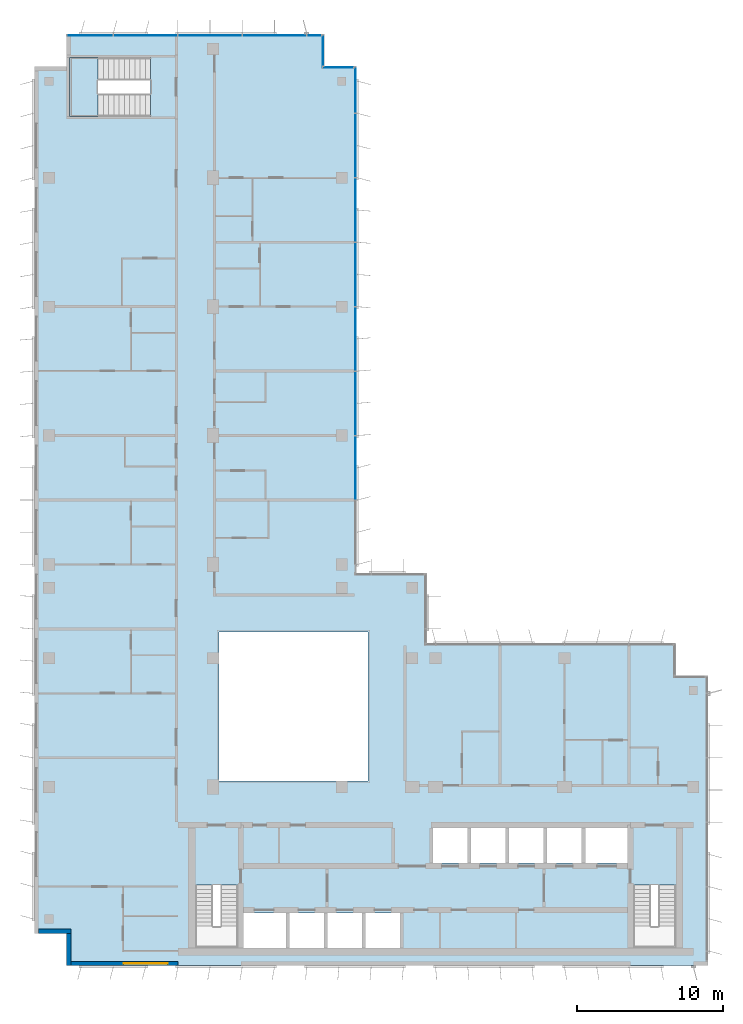
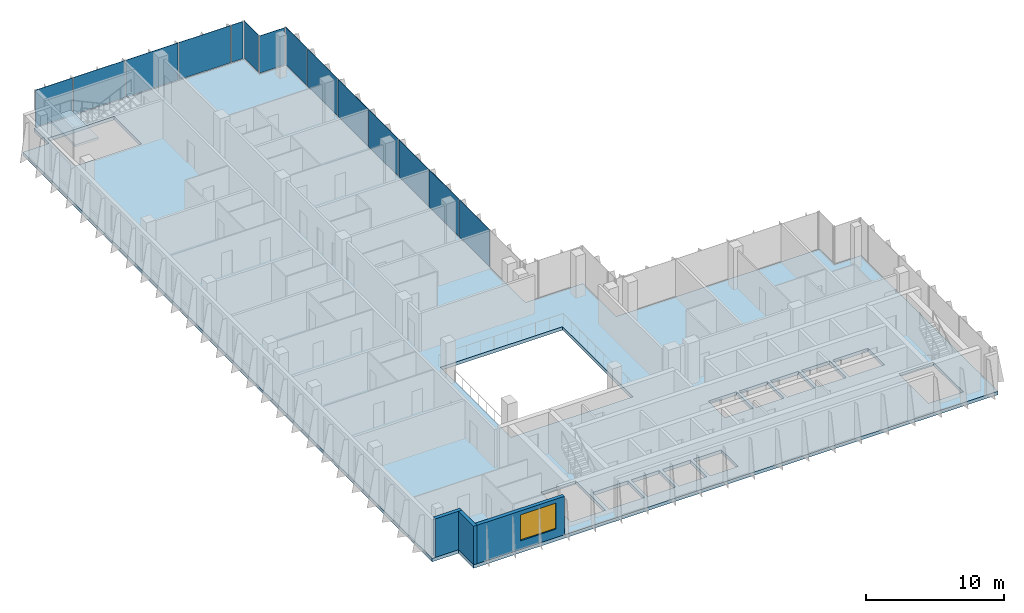
# One storey, part 8 of 16: 14 plates, 3 walls, 2 slabs, 1 window, 1 opening, 5 elements without a shape of their own.
"""IFC4 building model written with IfcOpenShell, lengths in metres."""

from ifc_helpers import new_model, si_unit, direction, frame, frame_2d, origin, origin_2d, place, context, subcontext, project, spatial, polyline, rectangle, outline, extrude, source, transform, mapped, material, layer, layer_set, type_object, element, fill, aggregate, save


model = new_model("IFC4")

# Units and contexts
model_context = context("Model", 3, precision=1e-05, world=origin(), true_north=direction((0.0, 1.0)))
body_context = subcontext(model_context, "Body", "Model", "MODEL_VIEW")
ifc_project = project(units=[si_unit("LENGTHUNIT", "METRE"), si_unit("AREAUNIT", "SQUARE_METRE"), si_unit("VOLUMEUNIT", "CUBIC_METRE"), si_unit("PLANEANGLEUNIT", "RADIAN"), si_unit("MASSUNIT", "GRAM", prefix="KILO")], contexts=[model_context])

# Site, building, storey
site_placement = place(None, origin())
site = spatial("IfcSite", under=ifc_project, at=site_placement, CompositionType="ELEMENT")
building_placement = place(site_placement, origin())
building = spatial("IfcBuilding", under=site, at=building_placement, Name="Kemantara Hotel Tower", CompositionType="ELEMENT")
storey_placement = place(building_placement, frame((0.0, 0.0, 283.300048828125)))
storey = spatial("IfcBuildingStorey", under=building, at=storey_placement, Name="L71", CompositionType="ELEMENT", Elevation=283.300048828125)

# Slab
ifc_material_1 = material(Name="Concrete fc 40 MPa", Category="concrete")
ifc_layer_1 = layer(ifc_material_1, 0.300048828125)
ifc_layer_set_1 = layer_set([ifc_layer_1], Name="Concrete fc 40 MPa")
slab_type_1 = type_object("IfcSlabType", Name="POST-TENSIONED FLAT PLATE 300", PredefinedType="FLOOR", material=ifc_layer_set_1)
slab_1_placement = place(storey_placement, frame((0.0, 0.0, -0.300048828125)))
element("IfcSlab", 1, at=slab_1_placement, inside=storey, type_object=slab_type_1, Name="FLOOR SLAB L71", PredefinedType="FLOOR", context=body_context, shape_type="SweptSolid", body=[
    extrude(outline(polyline([(22.0, 26.800048828125), (22.0, 61.39990234375), (19.800048828125, 61.39990234375), (19.800048828125, 63.60009765625), (2.199951171875, 63.60009765625), (2.199951171875, 61.39990234375), (0.0, 61.39990234375), (0.0, 2.199951171875), (2.199951171875, 2.199951171875), (2.199951171875, 0.0), (46.0, 0.0), (46.0, 19.800048828125), (43.800048828125, 19.800048828125), (43.800048828125, 22.0), (26.800048828125, 22.0), (26.800048828125, 26.800048828125), (22.0, 26.800048828125)]), holes=[polyline([(17.175048828125, 3.60009765625), (17.175048828125, 1.199951171875), (14.22509765625, 1.199951171875), (14.22509765625, 3.60009765625), (17.175048828125, 3.60009765625)]), polyline([(19.77490234375, 1.199951171875), (17.425048828125, 1.199951171875), (17.425048828125, 3.60009765625), (19.77490234375, 3.60009765625), (19.77490234375, 1.199951171875)]), polyline([(22.375, 1.199951171875), (20.02490234375, 1.199951171875), (20.02490234375, 3.60009765625), (22.375, 3.60009765625), (22.375, 1.199951171875)]), polyline([(24.97509765625, 3.60009765625), (24.97509765625, 1.199951171875), (22.625, 1.199951171875), (22.625, 3.60009765625), (24.97509765625, 3.60009765625)]), polyline([(11.0, 1.199951171875), (11.0, 5.49951171875), (13.89990234375, 5.49951171875), (13.89990234375, 1.199951171875), (11.0, 1.199951171875)]), polyline([(22.800048828125, 12.60009765625), (12.60009765625, 12.60009765625), (12.60009765625, 22.800048828125), (22.800048828125, 22.800048828125), (22.800048828125, 12.60009765625)]), polyline([(2.39990234375, 58.0), (2.39990234375, 62.0), (7.949462890625, 62.0), (7.949462890625, 58.0), (2.39990234375, 58.0)]), polyline([(40.89990234375, 1.199951171875), (40.89990234375, 5.49951171875), (43.800048828125, 5.49951171875), (43.800048828125, 1.199951171875), (40.89990234375, 1.199951171875)]), polyline([(29.574951171875, 7.0), (27.22509765625, 7.0), (27.22509765625, 9.39990234375), (29.574951171875, 9.39990234375), (29.574951171875, 7.0)]), polyline([(32.175048828125, 7.0), (29.824951171875, 7.0), (29.824951171875, 9.39990234375), (32.175048828125, 9.39990234375), (32.175048828125, 7.0)]), polyline([(34.77490234375, 7.0), (32.425048828125, 7.0), (32.425048828125, 9.39990234375), (34.77490234375, 9.39990234375), (34.77490234375, 7.0)]), polyline([(37.375, 7.0), (35.02490234375, 7.0), (35.02490234375, 9.39990234375), (37.375, 9.39990234375), (37.375, 7.0)]), polyline([(40.574951171875, 7.0), (37.625, 7.0), (37.625, 9.39990234375), (40.574951171875, 9.39990234375), (40.574951171875, 7.0)])]), origin(), (0.0, 0.0, 1.0), 0.300048828125),
])

# Stair, slab
stair_type = type_object("IfcStairType", Name="Stair 1550 wide 22 risers of 168 x 360 mm", PredefinedType="HALF_TURN_STAIR", material=ifc_material_1)
stair_placement = place(storey_placement, origin())
stair = element("IfcStair", 2, at=stair_placement, inside=storey, type_object=stair_type, Name="L71 Exit stair ST4", PredefinedType="HALF_TURN_STAIR")
ifc_layer_2 = layer(ifc_material_1, 0.199951171875)
ifc_layer_set_2 = layer_set([ifc_layer_2], Name="Concrete fc 40 MPa")
slab_type_2 = type_object("IfcSlabType", Name="Stair landing 200 mm", PredefinedType="LANDING", material=ifc_layer_set_2)
slab_2_placement = place(storey_placement, frame((0.0, 0.0, 1.64990234375)))
slab_2 = element("IfcSlab", 3, at=slab_2_placement, type_object=slab_type_2, Name="ST4 landing 1", PredefinedType="LANDING", context=body_context, shape_type="SweptSolid", body=[
    extrude(outline(polyline([(4.35009765625, 62.0), (2.39990234375, 62.0), (2.39990234375, 58.0), (4.35009765625, 58.0), (4.35009765625, 62.0)])), origin(), (0.0, 0.0, 1.0), 0.199951171875),
])
aggregate(stair, [slab_2])

# Curtain wall, plates
ifc_material_2 = material(Name="Low-E tinted double insulated glass 36 mm", Category="glass")
curtain_wall_type = type_object("IfcCurtainWallType", Name="TOWER CURTAIN WALL, FRONT FACES", PredefinedType="USERDEFINED", material=ifc_material_2)
curtain_wall_1_placement = place(storey_placement, origin())
curtain_wall_1 = element("IfcCurtainWall", 4, at=curtain_wall_1_placement, inside=storey, type_object=curtain_wall_type, Name="CW4 L71 T4-R02-1", ObjectType="TOWER CURTAIN WALL, FRONT FACES", PredefinedType="USERDEFINED")
ifc_layer_3 = layer(ifc_material_2, 0.035888671875)
ifc_layer_set_3 = layer_set([ifc_layer_3], Name="Low-E tinted double insulated glass 36 mm")
plate_type = type_object("IfcPlateType", Name="TOWER CURTAIN WALL, FRONT FACES PANEL", PredefinedType="CURTAIN_PANEL", material=ifc_layer_set_3)
shared_shape_1 = source(origin(), body_context, "Body", "SweptSolid", [
    extrude(rectangle(XDim=4.340087890625, YDim=0.035888671875, at=origin_2d()), origin(), (0.0, 0.0, 1.0), 3.280029296875),
])
plate_1_placement = place(storey_placement, frame((16.39990234375, 63.52490234375, 0.1201171875), z_axis=(0.0, 0.0, 1.0), x_axis=(-1.0, 0.0, 0.0)))
plate_1 = element("IfcPlate", 5, at=plate_1_placement, type_object=plate_type, Name="CW4 glass panel T4-R02-1.2", PredefinedType="CURTAIN_PANEL", context=body_context, shape_type="MappedRepresentation", body=[
    mapped(shared_shape_1, transform((0.0, 0.0, 0.0))),
])
plate_2_placement = place(storey_placement, frame((12.0, 63.52490234375, 0.1201171875), z_axis=(0.0, 0.0, 1.0), x_axis=(-1.0, 0.0, 0.0)))
plate_2 = element("IfcPlate", 6, at=plate_2_placement, type_object=plate_type, Name="CW4 glass panel T4-R02-1.3", PredefinedType="CURTAIN_PANEL", context=body_context, shape_type="MappedRepresentation", body=[
    mapped(shared_shape_1, transform((0.0, 0.0, 0.0))),
])
plate_3_placement = place(storey_placement, frame((7.60009765625, 63.52490234375, 0.1201171875), z_axis=(0.0, 0.0, 1.0), x_axis=(-1.0, 0.0, 0.0)))
plate_3 = element("IfcPlate", 7, at=plate_3_placement, type_object=plate_type, Name="CW4 glass panel T4-R02-1.4", PredefinedType="CURTAIN_PANEL", context=body_context, shape_type="MappedRepresentation", body=[
    mapped(shared_shape_1, transform((0.0, 0.0, 0.0))),
])

curtain_wall_2_placement = place(storey_placement, origin())
curtain_wall_2 = element("IfcCurtainWall", 8, at=curtain_wall_2_placement, inside=storey, type_object=curtain_wall_type, Name="CW4 L71 T4-R15-1", ObjectType="TOWER CURTAIN WALL, FRONT FACES", PredefinedType="USERDEFINED")
plate_4_placement = place(storey_placement, frame((21.925048828125, 34.0, 0.1201171875), z_axis=(0.0, 0.0, 1.0), x_axis=(0.0, 1.0, 0.0)))
plate_4 = element("IfcPlate", 9, at=plate_4_placement, type_object=plate_type, Name="CW4 glass panel T4-R15-1.3", PredefinedType="CURTAIN_PANEL", context=body_context, shape_type="MappedRepresentation", body=[
    mapped(shared_shape_1, transform((0.0, 0.0, 0.0))),
])
plate_5_placement = place(storey_placement, frame((21.925048828125, 38.39990234375, 0.1201171875), z_axis=(0.0, 0.0, 1.0), x_axis=(0.0, 1.0, 0.0)))
plate_5 = element("IfcPlate", 10, at=plate_5_placement, type_object=plate_type, Name="CW4 glass panel T4-R15-1.4", PredefinedType="CURTAIN_PANEL", context=body_context, shape_type="MappedRepresentation", body=[
    mapped(shared_shape_1, transform((0.0, 0.0, 0.0))),
])
plate_6_placement = place(storey_placement, frame((21.925048828125, 42.800048828125, 0.1201171875), z_axis=(0.0, 0.0, 1.0), x_axis=(0.0, 1.0, 0.0)))
plate_6 = element("IfcPlate", 11, at=plate_6_placement, type_object=plate_type, Name="CW4 glass panel T4-R15-1.5", PredefinedType="CURTAIN_PANEL", context=body_context, shape_type="MappedRepresentation", body=[
    mapped(shared_shape_1, transform((0.0, 0.0, 0.0))),
])
plate_7_placement = place(storey_placement, frame((21.925048828125, 47.199951171875, 0.1201171875), z_axis=(0.0, 0.0, 1.0), x_axis=(0.0, 1.0, 0.0)))
plate_7 = element("IfcPlate", 12, at=plate_7_placement, type_object=plate_type, Name="CW4 glass panel T4-R15-1.6", PredefinedType="CURTAIN_PANEL", context=body_context, shape_type="MappedRepresentation", body=[
    mapped(shared_shape_1, transform((0.0, 0.0, 0.0))),
])
plate_8_placement = place(storey_placement, frame((21.925048828125, 51.60009765625, 0.1201171875), z_axis=(0.0, 0.0, 1.0), x_axis=(0.0, 1.0, 0.0)))
plate_8 = element("IfcPlate", 13, at=plate_8_placement, type_object=plate_type, Name="CW4 glass panel T4-R15-1.7", PredefinedType="CURTAIN_PANEL", context=body_context, shape_type="MappedRepresentation", body=[
    mapped(shared_shape_1, transform((0.0, 0.0, 0.0))),
])
plate_9_placement = place(storey_placement, frame((21.925048828125, 56.0, 0.1201171875), z_axis=(0.0, 0.0, 1.0), x_axis=(0.0, 1.0, 0.0)))
plate_9 = element("IfcPlate", 14, at=plate_9_placement, type_object=plate_type, Name="CW4 glass panel T4-R15-1.8", PredefinedType="CURTAIN_PANEL", context=body_context, shape_type="MappedRepresentation", body=[
    mapped(shared_shape_1, transform((0.0, 0.0, 0.0))),
])

# Plate
shared_shape_2 = source(origin(), body_context, "Body", "SweptSolid", [
    extrude(rectangle(XDim=3.110107421875, YDim=0.035888671875, at=origin_2d()), origin(), (0.0, 0.0, 1.0), 3.280029296875),
])
plate_10_placement = place(storey_placement, frame((3.81494140625, 63.52490234375, 0.1201171875), z_axis=(0.0, 0.0, 1.0), x_axis=(-1.0, 0.0, 0.0)))
plate_10 = element("IfcPlate", 15, at=plate_10_placement, type_object=plate_type, Name="CW4 glass panel T4-R02-1.5", PredefinedType="CURTAIN_PANEL", context=body_context, shape_type="MappedRepresentation", body=[
    mapped(shared_shape_2, transform((0.0, 0.0, 0.0))),
])

plate_11_placement = place(storey_placement, frame((21.925048828125, 59.784912109375, 0.1201171875), z_axis=(0.0, 0.0, 1.0), x_axis=(0.0, 1.0, 0.0)))
plate_11 = element("IfcPlate", 16, at=plate_11_placement, type_object=plate_type, Name="CW4 glass panel T4-R15-1.9", PredefinedType="CURTAIN_PANEL", context=body_context, shape_type="MappedRepresentation", body=[
    mapped(shared_shape_2, transform((0.0, 0.0, 0.0))),
])

aggregate(curtain_wall_2, [plate_4, plate_5, plate_6, plate_7, plate_8, plate_9, plate_11])

# Curtain wall, plate
curtain_wall_3_placement = place(storey_placement, origin())
curtain_wall_3 = element("IfcCurtainWall", 17, at=curtain_wall_3_placement, inside=storey, type_object=curtain_wall_type, Name="CW4 L71 T4-R00-1", ObjectType="TOWER CURTAIN WALL, FRONT FACES", PredefinedType="USERDEFINED")
shared_shape_3 = source(origin(), body_context, "Body", "SweptSolid", [
    extrude(rectangle(XDim=2.080078125, YDim=0.035888671875, at=origin_2d()), origin(), (0.0, 0.0, 1.0), 3.280029296875),
])
plate_12_placement = place(storey_placement, frame((20.75, 61.324951171875, 0.1201171875), z_axis=(0.0, 0.0, 1.0), x_axis=(-1.0, 0.0, 0.0)))
plate_12 = element("IfcPlate", 18, at=plate_12_placement, type_object=plate_type, Name="CW4 glass panel T4-R00-1.1", PredefinedType="CURTAIN_PANEL", context=body_context, shape_type="MappedRepresentation", body=[
    mapped(shared_shape_3, transform((0.0, 0.0, 0.0))),
])
aggregate(curtain_wall_3, [plate_12])

curtain_wall_4_placement = place(storey_placement, origin())
curtain_wall_4 = element("IfcCurtainWall", 19, at=curtain_wall_4_placement, inside=storey, type_object=curtain_wall_type, Name="CW4 L71 T4-R01-1", ObjectType="TOWER CURTAIN WALL, FRONT FACES", PredefinedType="USERDEFINED")
plate_13_placement = place(storey_placement, frame((19.72509765625, 62.5, 0.1201171875), z_axis=(0.0, 0.0, 1.0), x_axis=(0.0, 1.0, 0.0)))
plate_13 = element("IfcPlate", 20, at=plate_13_placement, type_object=plate_type, Name="CW4 glass panel T4-R01-1.1", PredefinedType="CURTAIN_PANEL", context=body_context, shape_type="MappedRepresentation", body=[
    mapped(shared_shape_3, transform((0.0, 0.0, 0.0))),
])
aggregate(curtain_wall_4, [plate_13])

# Plate
shared_shape_4 = source(origin(), body_context, "Body", "SweptSolid", [
    extrude(rectangle(XDim=0.9599609375, YDim=0.035888671875, at=origin_2d()), origin(), (0.0, 0.0, 1.0), 3.280029296875),
])
plate_14_placement = place(storey_placement, frame((19.110107421875, 63.52490234375, 0.1201171875), z_axis=(0.0, 0.0, 1.0), x_axis=(-1.0, 0.0, 0.0)))
plate_14 = element("IfcPlate", 21, at=plate_14_placement, type_object=plate_type, Name="CW4 glass panel T4-R02-1.1", PredefinedType="CURTAIN_PANEL", context=body_context, shape_type="MappedRepresentation", body=[
    mapped(shared_shape_4, transform((0.0, 0.0, 0.0))),
])

aggregate(curtain_wall_1, [plate_14, plate_1, plate_2, plate_3, plate_10])

# Walls
ifc_material_3 = material(Name="Bronze anodised aluminium cladding on insulated steel stud wall", Category="steel")
ifc_layer_4 = layer(ifc_material_3, 0.300048828125)
ifc_layer_set_4 = layer_set([ifc_layer_4], Name="Bronze anodised aluminium cladding on insulated steel stud wall")
wall_type = type_object("IfcWallType", Name="BRONZE METAL-CLAD EXTERNAL WALL 300", PredefinedType="STANDARD", material=ifc_layer_set_4)
for number, where, z_axis, x_axis, name in (
    (22, (0.300048828125, 2.35009765625, 0.0), (0.0, 0.0, 1.0), (1.0, 0.0, 0.0), "EXTERNAL WALL L71 T4-R06"),
    (23, (2.35009765625, 2.199951171875, 0.0), (0.0, 0.0, 1.0), (0.0, -1.0, 0.0), "EXTERNAL WALL L71 T4-R07"),
):
    element("IfcWall", number, at=place(storey_placement, frame(where, z_axis=z_axis, x_axis=x_axis)), inside=storey, type_object=wall_type, Name=name, PredefinedType="STANDARD", context=body_context, shape_type="SweptSolid", body=[
        extrude(rectangle(XDim=2.199951171875, YDim=0.300048828125, at=frame_2d((1.10009765625, 0.0))), origin(), (0.0, 0.0, 1.0), 3.39990234375),
    ])

# Wall, opening, window
wall_placement = place(storey_placement, frame((2.5, 0.14990234375, 0.0), z_axis=(0.0, 0.0, 1.0), x_axis=(1.0, 0.0, 0.0)))
wall = element("IfcWall", 24, at=wall_placement, inside=storey, type_object=wall_type, Name="EXTERNAL WALL L71 T4-R08", PredefinedType="STANDARD", context=body_context, shape_type="SweptSolid", body=[
    extrude(rectangle(XDim=7.300048828125, YDim=0.300048828125, at=frame_2d((3.64990234375, 0.0))), origin(), (0.0, 0.0, 1.0), 3.39990234375),
])
opening_placement = place(wall_placement, frame((3.60009765625, 0.0, 0.75)))
opening = element("IfcOpeningElement", 25, at=opening_placement, cuts=wall, Name="Opening W1", PredefinedType="OPENING", context=body_context, shape_type="SweptSolid", body=[
    extrude(rectangle(XDim=3.0, YDim=2.300048828125, at=frame_2d((1.5, 1.14990234375))), frame((0.0, 0.159912109375, 0.0), z_axis=(0.0, -1.0, 0.0), x_axis=(1.0, 0.0, 0.0)), (0.0, 0.0, 1.0), 0.320068359375),
])
ifc_material_4 = material(Name="Low-E tinted double insulated glass in bronze anodised aluminium frame", Category="aluminium")
window_type = type_object("IfcWindowType", Name="CHICAGO WINDOW, TRIPLE PANEL 3000x2300", PartitioningType="TRIPLE_PANEL_VERTICAL", PredefinedType="WINDOW", material=ifc_material_4)
window_placement = place(opening_placement, origin())
window = element("IfcWindow", 26, at=window_placement, inside=storey, type_object=window_type, Name="CHICAGO WINDOW L71 T4-R08-54", OverallHeight=2.300048828125, OverallWidth=3.0, PartitioningType="SINGLE_PANEL", PredefinedType="WINDOW", context=body_context, shape_type="SweptSolid", body=[
    extrude(rectangle(XDim=3.0, YDim=2.300048828125, at=frame_2d((1.5, 1.14990234375))), frame((0.0, 0.030029296875, 0.0), z_axis=(0.0, -1.0, 0.0), x_axis=(1.0, 0.0, 0.0)), (0.0, 0.0, 1.0), 0.06005859375),
])
fill(opening, window)

save(model, "model.ifc")
